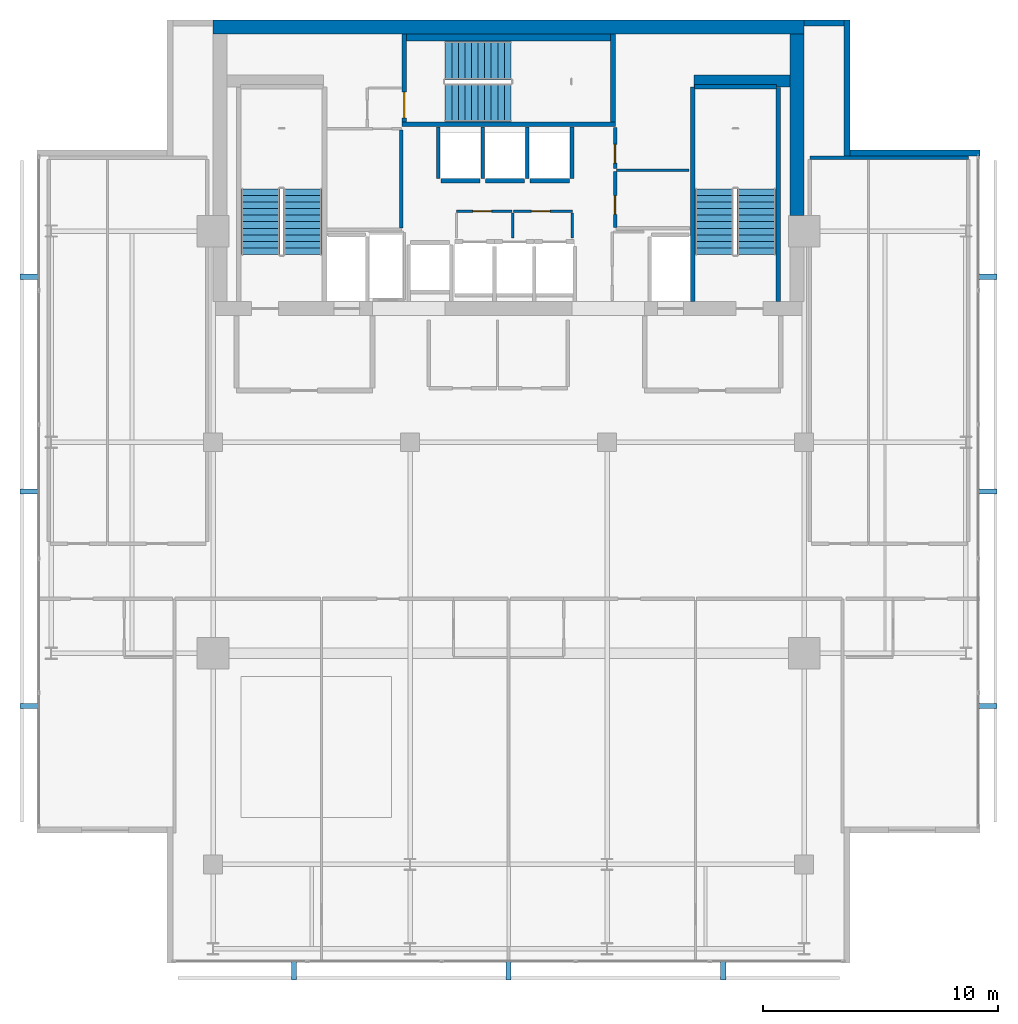
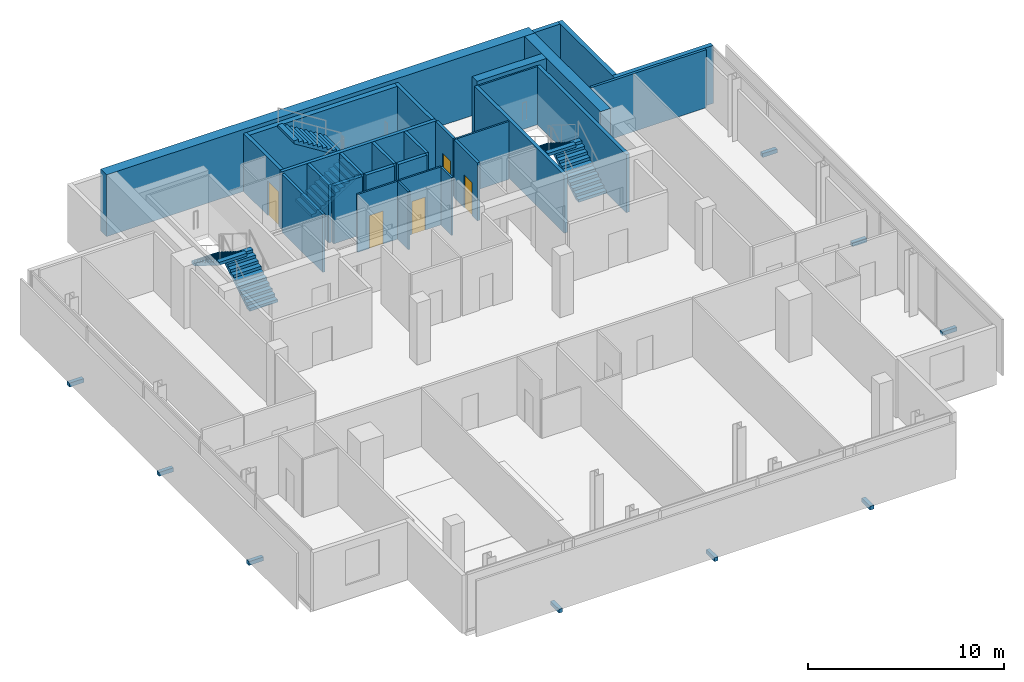
# One storey, part 19 of 23: 29 walls, 9 discrete accessories, 6 stair flights, 5 doors, 5 openings, 3 elements without a shape of their own.
"""IFC4 building model written with IfcOpenShell, lengths in metres."""

from ifc_helpers import new_model, si_unit, direction, frame, frame_2d, origin, origin_2d, place, context, subcontext, project, spatial, polyline, rectangle, outline, extrude, material, layer, layer_set, type_object, element, fill, aggregate, save


model = new_model("IFC4")

# Units and contexts
model_context = context("Model", 3, precision=1e-05, world=origin(), true_north=direction((0.0, 1.0)))
body_context = subcontext(model_context, "Body", "Model", "MODEL_VIEW")
ifc_project = project(units=[si_unit("LENGTHUNIT", "METRE"), si_unit("AREAUNIT", "SQUARE_METRE"), si_unit("VOLUMEUNIT", "CUBIC_METRE"), si_unit("PLANEANGLEUNIT", "RADIAN"), si_unit("MASSUNIT", "GRAM", prefix="KILO")], contexts=[model_context])

# Site, building, storey
site_placement = place(None, origin())
site = spatial("IfcSite", under=ifc_project, at=site_placement, CompositionType="ELEMENT")
building_placement = place(site_placement, origin())
building = spatial("IfcBuilding", under=site, at=building_placement, Name="Maruvema Waterfront Hotel and Observation Tower", CompositionType="ELEMENT")
storey_placement = place(building_placement, frame((0.0, 0.0, 337.39990234375)))
storey = spatial("IfcBuildingStorey", under=building, at=storey_placement, Name="L83", CompositionType="ELEMENT", Elevation=337.39990234375)

# Wall
ifc_material_1 = material(Name="Twin-stud acoustic gypsum drywall", Category="gypsum")
ifc_layer_1 = layer(ifc_material_1, 0.14990234375, Name="Acoustic Corridor and Suite Demising Wall 150 mm")
ifc_layer_set_1 = layer_set([ifc_layer_1], Name="Twin-stud acoustic gypsum drywall")
wall_type_1 = type_object("IfcWallType", Name="Acoustic Corridor and Suite Demising Wall 150 mm", PredefinedType="PARTITIONING", material=ifc_layer_set_1)
wall_1_placement = place(storey_placement, frame((33.219970703125, 45.139892578125, 0.0), z_axis=(0.0, 0.0, 1.0), x_axis=(0.0, 1.0, 0.0)))
element("IfcWall", 1, at=wall_1_placement, inside=storey, type_object=wall_type_1, Name="L83 Freed B1 East Wall 018", PredefinedType="PARTITIONING", context=body_context, shape_type="SweptSolid", body=[
    extrude(rectangle(XDim=4.16015625, YDim=0.14990234375, at=frame_2d((2.080078125, 0.0))), origin(), (0.0, 0.0, 1.0), 3.610107421875),
])

# Wall, opening, door
wall_2_placement = place(storey_placement, frame((42.340087890625, 45.159912109375, 0.0), z_axis=(0.0, 0.0, 1.0), x_axis=(0.0, 1.0, 0.0)))
wall_2 = element("IfcWall", 2, at=wall_2_placement, inside=storey, type_object=wall_type_1, Name="L83 Freed B2 West S 022", PredefinedType="PARTITIONING", context=body_context, shape_type="SweptSolid", body=[
    extrude(rectangle(XDim=2.380126953125, YDim=0.14990234375, at=frame_2d((1.18994140625, 0.0))), origin(), (0.0, 0.0, 1.0), 3.610107421875),
])
opening_1_placement = place(wall_2_placement, frame((0.550048828125, 0.0, 0.0)))
opening_1 = element("IfcOpeningElement", 3, at=opening_1_placement, cuts=wall_2, Name="Opening DR-080", PredefinedType="OPENING", context=body_context, shape_type="SweptSolid", body=[
    extrude(rectangle(XDim=0.800048828125, YDim=2.050048828125, at=frame_2d((0.39990234375, 1.02490234375))), frame((0.0, 0.0849609375, 0.0), z_axis=(0.0, -1.0, 0.0), x_axis=(1.0, 0.0, 0.0)), (0.0, 0.0, 1.0), 0.169921875),
])
ifc_material_2 = material(Name="Powder-coated steel access leaf", Category="steel")
door_type_1 = type_object("IfcDoorType", Name="Riser and Service Cupboard Door 800x2050 mm", OperationType="NOTDEFINED", PredefinedType="DOOR", material=ifc_material_2)
door_1_placement = place(opening_1_placement, frame((0.800048828125, 0.0, 0.0), z_axis=(0.0, 0.0, 1.0), x_axis=(-1.0, 0.0, 0.0)))
door_1 = element("IfcDoor", 4, at=door_1_placement, inside=storey, type_object=door_type_1, Name="L83 Butler Service Pantry Door", OperationType="SINGLE_SWING_LEFT", OverallHeight=2.050048828125, OverallWidth=0.800048828125, PredefinedType="DOOR", context=body_context, shape_type="SweptSolid", body=[
    extrude(rectangle(XDim=0.800048828125, YDim=2.050048828125, at=frame_2d((0.39990234375, 1.02490234375))), frame((0.0, 0.02490234375, 0.0), z_axis=(0.0, -1.0, 0.0), x_axis=(1.0, 0.0, 0.0)), (0.0, 0.0, 1.0), 0.050048828125),
])
fill(opening_1, door_1)

wall_3_placement = place(storey_placement, frame((42.340087890625, 47.659912109375, 0.0), z_axis=(0.0, 0.0, 1.0), x_axis=(0.0, 1.0, 0.0)))
wall_3 = element("IfcWall", 5, at=wall_3_placement, inside=storey, type_object=wall_type_1, Name="L83 Freed B2 West N 023", PredefinedType="PARTITIONING", context=body_context, shape_type="SweptSolid", body=[
    extrude(rectangle(XDim=1.760009765625, YDim=0.14990234375, at=frame_2d((0.8798828125, 0.0))), origin(), (0.0, 0.0, 1.0), 3.610107421875),
])
opening_2_placement = place(wall_3_placement, frame((0.239990234375, 0.0, 0.0)))
opening_2 = element("IfcOpeningElement", 6, at=opening_2_placement, cuts=wall_3, Name="Opening DR-080", PredefinedType="OPENING", context=body_context, shape_type="SweptSolid", body=[
    extrude(rectangle(XDim=0.800048828125, YDim=2.050048828125, at=frame_2d((0.39990234375, 1.02490234375))), frame((0.0, 0.0849609375, 0.0), z_axis=(0.0, -1.0, 0.0), x_axis=(1.0, 0.0, 0.0)), (0.0, 0.0, 1.0), 0.169921875),
])
door_2_placement = place(opening_2_placement, frame((0.800048828125, 0.0, 0.0), z_axis=(0.0, 0.0, 1.0), x_axis=(-1.0, 0.0, 0.0)))
door_2 = element("IfcDoor", 7, at=door_2_placement, inside=storey, type_object=door_type_1, Name="L83 Core IT and Linen Store Door", OperationType="SINGLE_SWING_RIGHT", OverallHeight=2.050048828125, OverallWidth=0.800048828125, PredefinedType="DOOR", context=body_context, shape_type="SweptSolid", body=[
    extrude(rectangle(XDim=0.800048828125, YDim=2.050048828125, at=frame_2d((0.39990234375, 1.02490234375))), frame((0.0, 0.02490234375, 0.0), z_axis=(0.0, -1.0, 0.0), x_axis=(1.0, 0.0, 0.0)), (0.0, 0.0, 1.0), 0.050048828125),
])
fill(opening_2, door_2)

# Walls
wall_4_placement = place(storey_placement, frame((50.64990234375, 48.125, 0.0), z_axis=(0.0, 0.0, 1.0), x_axis=(1.0, 0.0, 0.0)))
element("IfcWall", 8, at=wall_4_placement, inside=storey, type_object=wall_type_1, Name="L83 L83-Z4E Back Wall 037", PredefinedType="PARTITIONING", context=body_context, shape_type="SweptSolid", body=[
    extrude(rectangle(XDim=6.75, YDim=0.14990234375, at=frame_2d((3.375, 0.0))), origin(), (0.0, 0.0, 1.0), 3.610107421875),
])
ifc_material_3 = material(Name="Precast concrete C45/55", Category="concrete")
ifc_layer_2 = layer(ifc_material_3, 0.300048828125, Name="Core Shaft Furring Wall 300 mm")
ifc_layer_set_2 = layer_set([ifc_layer_2], Name="Precast concrete C45/55")
wall_type_2 = type_object("IfcWallType", Name="Core Shaft Furring Wall 300 mm", PredefinedType="SOLIDWALL", material=ifc_layer_set_2)
wall_5_placement = place(storey_placement, frame((33.449951171875, 53.25, 0.0), z_axis=(0.0, 0.0, 1.0), x_axis=(1.0, 0.0, 0.0)))
element("IfcWall", 9, at=wall_5_placement, inside=storey, type_object=wall_type_2, Name="L83 Stairwell ST-02 North Furring Wall", PredefinedType="SOLIDWALL", context=body_context, shape_type="SweptSolid", body=[
    extrude(rectangle(XDim=8.699951171875, YDim=0.300048828125, at=frame_2d((4.35009765625, 0.0))), origin(), (0.0, 0.0, 1.0), 3.610107421875),
])
ifc_material_4 = material(Name="Precast concrete C45/55", Category="concrete")
ifc_layer_3 = layer(ifc_material_4, 0.199951171875, Name="Core Shaft and Stairwell Enclosure Wall 200 mm")
ifc_layer_set_3 = layer_set([ifc_layer_3], Name="Precast concrete C45/55")
wall_type_3 = type_object("IfcWallType", Name="Core Shaft and Stairwell Enclosure Wall 200 mm", PredefinedType="SOLIDWALL", material=ifc_layer_set_3)
wall_6_placement = place(storey_placement, frame((33.25, 49.550048828125, 0.0), z_axis=(0.0, 0.0, 1.0), x_axis=(1.0, 0.0, 0.0)))
element("IfcWall", 10, at=wall_6_placement, inside=storey, type_object=wall_type_3, Name="L83 Stairwell ST-02 Shaft Wall", PredefinedType="SOLIDWALL", context=body_context, shape_type="SweptSolid", body=[
    extrude(rectangle(XDim=9.10009765625, YDim=0.199951171875, at=frame_2d((4.550048828125, 0.0))), origin(), (0.0, 0.0, 1.0), 3.610107421875),
])
wall_7_placement = place(storey_placement, frame((42.25, 49.64990234375, 0.0), z_axis=(0.0, 0.0, 1.0), x_axis=(0.0, 1.0, 0.0)))
element("IfcWall", 11, at=wall_7_placement, inside=storey, type_object=wall_type_3, Name="L83 Stairwell ST-02 Shaft Wall", PredefinedType="SOLIDWALL", context=body_context, shape_type="SweptSolid", body=[
    extrude(rectangle(XDim=3.75, YDim=0.199951171875, at=frame_2d((1.875, 0.0))), origin(), (0.0, 0.0, 1.0), 3.610107421875),
])

# Wall, opening, door
wall_8_placement = place(storey_placement, frame((33.35009765625, 49.64990234375, 0.0), z_axis=(0.0, 0.0, 1.0), x_axis=(0.0, 1.0, 0.0)))
wall_8 = element("IfcWall", 12, at=wall_8_placement, inside=storey, type_object=wall_type_3, Name="L83 Stairwell ST-02 Shaft Wall", PredefinedType="SOLIDWALL", context=body_context, shape_type="SweptSolid", body=[
    extrude(rectangle(XDim=3.75, YDim=0.199951171875, at=frame_2d((1.875, 0.0))), origin(), (0.0, 0.0, 1.0), 3.610107421875),
])
opening_3_placement = place(wall_8_placement, frame((0.179931640625, 0.0, 0.0)))
opening_3 = element("IfcOpeningElement", 13, at=opening_3_placement, cuts=wall_8, Name="Opening SD-02", PredefinedType="OPENING", context=body_context, shape_type="SweptSolid", body=[
    extrude(rectangle(XDim=1.10009765625, YDim=2.14990234375, at=frame_2d((0.550048828125, 1.074951171875))), frame((0.0, 0.10986328125, 0.0), z_axis=(0.0, -1.0, 0.0), x_axis=(1.0, 0.0, 0.0)), (0.0, 0.0, 1.0), 0.219970703125),
])
ifc_material_5 = material(Name="Fire-rated galvanised steel leaf", Category="steel")
door_type_2 = type_object("IfcDoorType", Name="Central Exit Stair Fire Door 1100x2150 mm", OperationType="NOTDEFINED", PredefinedType="DOOR", material=ifc_material_5)
door_3_placement = place(opening_3_placement, frame((1.10009765625, 0.0, 0.0), z_axis=(0.0, 0.0, 1.0), x_axis=(-1.0, 0.0, 0.0)))
door_3 = element("IfcDoor", 14, at=door_3_placement, inside=storey, type_object=door_type_2, Name="L83 Exit Stair ST-02 Fire Door", OperationType="SINGLE_SWING_LEFT", OverallHeight=2.14990234375, OverallWidth=1.10009765625, PredefinedType="DOOR", context=body_context, shape_type="SweptSolid", body=[
    extrude(rectangle(XDim=1.10009765625, YDim=2.14990234375, at=frame_2d((0.550048828125, 1.074951171875))), frame((0.0, 0.02490234375, 0.0), z_axis=(0.0, -1.0, 0.0), x_axis=(1.0, 0.0, 0.0)), (0.0, 0.0, 1.0), 0.050048828125),
])
fill(opening_3, door_3)

# Walls
wall_9_placement = place(storey_placement, frame((45.64990234375, 42.0, 0.0), z_axis=(0.0, 0.0, 1.0), x_axis=(0.0, 1.0, 0.0)))
element("IfcWall", 15, at=wall_9_placement, inside=storey, type_object=wall_type_3, Name="L83 Stairwell ST-03 West Shaft Wall", PredefinedType="SOLIDWALL", context=body_context, shape_type="SweptSolid", body=[
    extrude(rectangle(XDim=9.14990234375, YDim=0.199951171875, at=frame_2d((4.574951171875, 0.0))), origin(), (0.0, 0.0, 1.0), 3.610107421875),
])
wall_10_placement = place(storey_placement, frame((49.300048828125, 42.0, 0.0), z_axis=(0.0, 0.0, 1.0), x_axis=(0.0, 1.0, 0.0)))
element("IfcWall", 16, at=wall_10_placement, inside=storey, type_object=wall_type_3, Name="L83 Stairwell ST-03 Shaft Lining Wall", PredefinedType="SOLIDWALL", context=body_context, shape_type="SweptSolid", body=[
    extrude(rectangle(XDim=9.1201171875, YDim=0.199951171875, at=frame_2d((4.56005859375, 0.0))), origin(), (0.0, 0.0, 1.0), 3.610107421875),
])
wall_11_placement = place(storey_placement, frame((45.719970703125, 51.14990234375, 0.0), z_axis=(0.0, 0.0, 1.0), x_axis=(1.0, 0.0, 0.0)))
element("IfcWall", 17, at=wall_11_placement, inside=storey, type_object=wall_type_3, Name="L83 Stairwell ST-03 Shaft Lining Wall", PredefinedType="SOLIDWALL", context=body_context, shape_type="SweptSolid", body=[
    extrude(rectangle(XDim=3.5, YDim=0.199951171875, at=frame_2d((1.75, 0.0))), origin(), (0.0, 0.0, 1.0), 3.610107421875),
])
wall_12_placement = place(storey_placement, frame((34.909912109375, 47.14990234375, 0.0), z_axis=(0.0, 0.0, 1.0), x_axis=(1.0, 0.0, 0.0)))
element("IfcWall", 18, at=wall_12_placement, inside=storey, type_object=wall_type_3, Name="L83 Lift LF-12 Hoistway Front Wall", PredefinedType="SOLIDWALL", context=body_context, shape_type="SweptSolid", body=[
    extrude(rectangle(XDim=1.68017578125, YDim=0.199951171875, at=frame_2d((0.840087890625, 0.0))), origin(), (0.0, 0.0, 1.0), 3.610107421875),
])
for number, where, z_axis, x_axis, name in (
    (19, (36.81005859375, 47.14990234375, 0.0), (0.0, 0.0, 1.0), (1.0, 0.0, 0.0), "L83 Lift LF-13 Hoistway Front Wall"),
    (20, (38.7099609375, 47.14990234375, 0.0), (0.0, 0.0, 1.0), (1.0, 0.0, 0.0), "L83 Lift LF-14 Hoistway Front Wall"),
):
    element("IfcWall", number, at=place(storey_placement, frame(where, z_axis=z_axis, x_axis=x_axis)), inside=storey, type_object=wall_type_3, Name=name, PredefinedType="SOLIDWALL", context=body_context, shape_type="SweptSolid", body=[
        extrude(rectangle(XDim=1.679931640625, YDim=0.199951171875, at=frame_2d((0.83984375, 0.0))), origin(), (0.0, 0.0, 1.0), 3.610107421875),
    ])
ifc_material_6 = material(Name="Concrete C70/85", Category="concrete")
ifc_layer_4 = layer(ifc_material_6, 0.5, Name="Core Shear Wall 500 mm")
ifc_layer_set_4 = layer_set([ifc_layer_4], Name="Concrete C70/85")
wall_type_4 = type_object("IfcWallType", Name="Core Shear Wall 500 mm", PredefinedType="SHEAR", material=ifc_layer_set_4)
wall_13_placement = place(storey_placement, frame((45.699951171875, 51.39990234375, 0.0), z_axis=(0.0, 0.0, 1.0), x_axis=(1.0, 0.0, 0.0)))
element("IfcWall", 21, at=wall_13_placement, inside=storey, type_object=wall_type_4, Name="L83 Internal Core Shear Wall NE 500 mm", PredefinedType="SHEAR", context=body_context, shape_type="SweptSolid", body=[
    extrude(rectangle(XDim=4.10009765625, YDim=0.5, at=frame_2d((2.050048828125, 0.0))), origin(), (0.0, 0.0, 1.0), 3.85009765625),
])
ifc_material_7 = material(Name="Concrete C60/75", Category="concrete")
ifc_layer_5 = layer(ifc_material_7, 0.60009765625, Name="Core Shear Wall 600 mm")
ifc_layer_set_5 = layer_set([ifc_layer_5], Name="Concrete C60/75")
wall_type_5 = type_object("IfcWallType", Name="Core Shear Wall 600 mm", PredefinedType="SHEAR", material=ifc_layer_set_5)
wall_14_placement = place(storey_placement, frame((25.199951171875, 53.699951171875, 0.0), z_axis=(0.0, 0.0, 1.0), x_axis=(1.0, 0.0, 0.0)))
element("IfcWall", 22, at=wall_14_placement, inside=storey, type_object=wall_type_5, Name="L83 North Core Shear Wall", PredefinedType="SHEAR", context=body_context, shape_type="SweptSolid", body=[
    extrude(rectangle(XDim=25.199951171875, YDim=0.60009765625, at=frame_2d((12.60009765625, 0.0))), origin(), (0.0, 0.0, 1.0), 3.85009765625),
])
wall_15_placement = place(storey_placement, frame((50.10009765625, 45.675048828125, 0.0), z_axis=(0.0, 0.0, 1.0), x_axis=(0.0, 1.0, 0.0)))
element("IfcWall", 23, at=wall_15_placement, inside=storey, type_object=wall_type_5, Name="L83 East-North Core Shear Wall", PredefinedType="SHEAR", context=body_context, shape_type="SweptSolid", body=[
    extrude(rectangle(XDim=7.724853515625, YDim=0.60009765625, at=frame_2d((3.8623046875, 0.0))), origin(), (0.0, 0.0, 1.0), 3.85009765625),
])

# Wall, opening, door
ifc_material_8 = material(Name="Moisture-resistant cement-board drywall", Category="gypsum")
ifc_layer_6 = layer(ifc_material_8, 0.10009765625, Name="En-Suite Moisture-Resistant Partition 100 mm")
ifc_layer_set_6 = layer_set([ifc_layer_6], Name="Moisture-resistant cement-board drywall")
wall_type_6 = type_object("IfcWallType", Name="En-Suite Moisture-Resistant Partition 100 mm", PredefinedType="PARTITIONING", material=ifc_layer_set_6)
wall_16_placement = place(storey_placement, frame((35.580078125, 45.840087890625, 0.0), z_axis=(0.0, 0.0, 1.0), x_axis=(1.0, 0.0, 0.0)))
wall_16 = element("IfcWall", 24, at=wall_16_placement, inside=storey, type_object=wall_type_6, Name="L83 Core Closet K2A North 010", PredefinedType="PARTITIONING", context=body_context, shape_type="SweptSolid", body=[
    extrude(rectangle(XDim=2.35986328125, YDim=0.10009765625, at=frame_2d((1.179931640625, 0.0))), origin(), (0.0, 0.0, 1.0), 3.610107421875),
])
opening_4_placement = place(wall_16_placement, frame((0.699951171875, 0.0, 0.0)))
opening_4 = element("IfcOpeningElement", 25, at=opening_4_placement, cuts=wall_16, Name="Opening DR-080", PredefinedType="OPENING", context=body_context, shape_type="SweptSolid", body=[
    extrude(rectangle(XDim=0.800048828125, YDim=2.050048828125, at=frame_2d((0.39990234375, 1.02490234375))), frame((0.0, 0.06005859375, 0.0), z_axis=(0.0, -1.0, 0.0), x_axis=(1.0, 0.0, 0.0)), (0.0, 0.0, 1.0), 0.1201171875),
])
door_4_placement = place(opening_4_placement, origin())
door_4 = element("IfcDoor", 26, at=door_4_placement, inside=storey, type_object=door_type_1, Name="L83 Core IT Closet Door", OperationType="SINGLE_SWING_RIGHT", OverallHeight=2.050048828125, OverallWidth=0.800048828125, PredefinedType="DOOR", context=body_context, shape_type="SweptSolid", body=[
    extrude(rectangle(XDim=0.800048828125, YDim=2.050048828125, at=frame_2d((0.39990234375, 1.02490234375))), frame((0.0, 0.02490234375, 0.0), z_axis=(0.0, -1.0, 0.0), x_axis=(1.0, 0.0, 0.0)), (0.0, 0.0, 1.0), 0.050048828125),
])
fill(opening_4, door_4)

wall_17_placement = place(storey_placement, frame((38.02001953125, 45.840087890625, 0.0), z_axis=(0.0, 0.0, 1.0), x_axis=(1.0, 0.0, 0.0)))
wall_17 = element("IfcWall", 27, at=wall_17_placement, inside=storey, type_object=wall_type_6, Name="L83 Core Closet K2B North 011", PredefinedType="PARTITIONING", context=body_context, shape_type="SweptSolid", body=[
    extrude(rectangle(XDim=2.5, YDim=0.10009765625, at=frame_2d((1.25, 0.0))), origin(), (0.0, 0.0, 1.0), 3.610107421875),
])
opening_5_placement = place(wall_17_placement, frame((0.75, 0.0, 0.0)))
opening_5 = element("IfcOpeningElement", 28, at=opening_5_placement, cuts=wall_17, Name="Opening DR-080", PredefinedType="OPENING", context=body_context, shape_type="SweptSolid", body=[
    extrude(rectangle(XDim=0.800048828125, YDim=2.050048828125, at=frame_2d((0.39990234375, 1.02490234375))), frame((0.0, 0.06005859375, 0.0), z_axis=(0.0, -1.0, 0.0), x_axis=(1.0, 0.0, 0.0)), (0.0, 0.0, 1.0), 0.1201171875),
])
door_5_placement = place(opening_5_placement, origin())
door_5 = element("IfcDoor", 29, at=door_5_placement, inside=storey, type_object=door_type_1, Name="L83 Core Linen Cupboard Door", OperationType="SINGLE_SWING_LEFT", OverallHeight=2.050048828125, OverallWidth=0.800048828125, PredefinedType="DOOR", context=body_context, shape_type="SweptSolid", body=[
    extrude(rectangle(XDim=0.800048828125, YDim=2.050048828125, at=frame_2d((0.39990234375, 1.02490234375))), frame((0.0, 0.02490234375, 0.0), z_axis=(0.0, -1.0, 0.0), x_axis=(1.0, 0.0, 0.0)), (0.0, 0.0, 1.0), 0.050048828125),
])
fill(opening_5, door_5)

# Walls
for number, where, z_axis, x_axis, name in (
    (30, (37.97998046875, 44.699951171875, 0.0), (0.0, 0.0, 1.0), (0.0, 1.0, 0.0), "L83 Core Closet K2 Mid 013"),
    (31, (40.52001953125, 44.699951171875, 0.0), (0.0, 0.0, 1.0), (0.0, 1.0, 0.0), "L83 Core Closet K2 East 014"),
):
    element("IfcWall", number, at=place(storey_placement, frame(where, z_axis=z_axis, x_axis=x_axis)), inside=storey, type_object=wall_type_6, Name=name, PredefinedType="PARTITIONING", context=body_context, shape_type="SweptSolid", body=[
        extrude(rectangle(XDim=1.080078125, YDim=0.10009765625, at=frame_2d((0.5400390625, 0.0))), origin(), (0.0, 0.0, 1.0), 3.610107421875),
    ])
wall_18_placement = place(storey_placement, frame((42.39990234375, 47.60009765625, 0.0), z_axis=(0.0, 0.0, 1.0), x_axis=(1.0, 0.0, 0.0)))
element("IfcWall", 32, at=wall_18_placement, inside=storey, type_object=wall_type_6, Name="L83 Freed B2 Split 024", PredefinedType="PARTITIONING", context=body_context, shape_type="SweptSolid", body=[
    extrude(rectangle(XDim=3.10009765625, YDim=0.10009765625, at=frame_2d((1.550048828125, 0.0))), origin(), (0.0, 0.0, 1.0), 3.610107421875),
])
ifc_material_9 = material(Name="Precast concrete C45/55 with honed Pernambuco granite facing", Category="masonry")
ifc_layer_7 = layer(ifc_material_9, 0.260009765625, Name="Exterior Granite Clad Spandrel and Pier Wall 260 mm")
ifc_layer_set_7 = layer_set([ifc_layer_7], Name="Precast concrete C45/55 with honed Pernambuco granite facing")
wall_type_7 = type_object("IfcWallType", Name="Exterior Granite Clad Spandrel and Pier Wall 260 mm", PredefinedType="SOLIDWALL", material=ifc_layer_set_7)
wall_19_placement = place(storey_placement, frame((52.22998046875, 54.0, 0.0), z_axis=(0.0, 0.0, 1.0), x_axis=(0.0, -1.0, 0.0)))
element("IfcWall", 33, at=wall_19_placement, inside=storey, type_object=wall_type_7, Name="L83 Corner Notch Granite Pier Wall NE1", PredefinedType="SOLIDWALL", context=body_context, shape_type="SweptSolid", body=[
    extrude(rectangle(XDim=5.800048828125, YDim=0.260009765625, at=frame_2d((2.89990234375, 0.0))), origin(), (0.0, 0.0, 1.0), 3.610107421875),
])
wall_20_placement = place(storey_placement, frame((52.10009765625, 48.330078125, 0.0), z_axis=(0.0, 0.0, 1.0), x_axis=(1.0, 0.0, 0.0)))
element("IfcWall", 34, at=wall_20_placement, inside=storey, type_object=wall_type_7, Name="L83 Corner Notch Granite Pier Wall NE2", PredefinedType="SOLIDWALL", context=body_context, shape_type="SweptSolid", body=[
    extrude(rectangle(XDim=5.7998046875, YDim=0.260009765625, at=frame_2d((2.89990234375, 0.0))), origin(), (0.0, 0.0, 1.0), 3.610107421875),
])
wall_21_placement = place(storey_placement, frame((52.10009765625, 53.8701171875, 0.0), z_axis=(0.0, 0.0, 1.0), x_axis=(-1.0, 0.0, 0.0)))
element("IfcWall", 35, at=wall_21_placement, inside=storey, type_object=wall_type_7, Name="L83 North-East Core Flanking Pier Wall", PredefinedType="SOLIDWALL", context=body_context, shape_type="SweptSolid", body=[
    extrude(rectangle(XDim=1.7001953125, YDim=0.260009765625, at=frame_2d((0.85009765625, 0.0))), origin(), (0.0, 0.0, 1.0), 3.610107421875),
])
ifc_material_10 = material(Name="Precast concrete C45/55", Category="concrete")
ifc_layer_8 = layer(ifc_material_10, 0.159912109375, Name="Lift Hoistway Divider Wall 160 mm")
ifc_layer_set_8 = layer_set([ifc_layer_8], Name="Precast concrete C45/55")
wall_type_8 = type_object("IfcWallType", Name="Lift Hoistway Divider Wall 160 mm", PredefinedType="SOLIDWALL", material=ifc_layer_set_8)
for number, where, z_axis, x_axis, name in (
    (36, (34.800048828125, 47.25, 0.0), (0.0, 0.0, 1.0), (0.0, 1.0, 0.0), "L83 Hoistway Divider Wall"),
    (37, (36.699951171875, 47.25, 0.0), (0.0, 0.0, 1.0), (0.0, 1.0, 0.0), "L83 Hoistway Divider Wall"),
    (38, (38.60009765625, 47.25, 0.0), (0.0, 0.0, 1.0), (0.0, 1.0, 0.0), "L83 Hoistway Divider Wall"),
    (39, (40.5, 47.25, 0.0), (0.0, 0.0, 1.0), (0.0, 1.0, 0.0), "L83 Hoistway Divider Wall"),
):
    element("IfcWall", number, at=place(storey_placement, frame(where, z_axis=z_axis, x_axis=x_axis)), inside=storey, type_object=wall_type_8, Name=name, PredefinedType="SOLIDWALL", context=body_context, shape_type="SweptSolid", body=[
        extrude(rectangle(XDim=2.18994140625, YDim=0.159912109375, at=frame_2d((1.094970703125, 0.0))), origin(), (0.0, 0.0, 1.0), 3.610107421875),
    ])

# Stair, stair flights
ifc_material_11 = material(Name="Concrete C50/60", Category="concrete")
stair_type = type_object("IfcStairType", Name="Dogleg Exit Stair 1650 mm (22R x 175.0 mm)", PredefinedType="HALF_TURN_STAIR", material=ifc_material_11)
stair_1_placement = place(storey_placement, origin())
stair_1 = element("IfcStair", 40, at=stair_1_placement, inside=storey, type_object=stair_type, Name="L83 ST-01", PredefinedType="HALF_TURN_STAIR")
ifc_material_12 = material(Name="Concrete C50/60", Category="concrete")
stair_flight_type = type_object("IfcStairFlightType", Name="Reinforced Concrete Stair Flight 1650 mm (11R x 175.0 mm)", PredefinedType="STRAIGHT", material=ifc_material_12)
stair_flight_1_placement = place(storey_placement, frame((29.02490234375, 44.0, 0.0), z_axis=(0.0, 0.0, 1.0), x_axis=(0.0, 1.0, 0.0)))
stair_flight_1 = element("IfcStairFlight", 41, at=stair_flight_1_placement, type_object=stair_flight_type, Name="ST-01 flight 1", NumberOfRisers=11, NumberOfTreads=10, PredefinedType="STRAIGHT", RiserHeight=0.175, TreadLength=0.28, context=body_context, shape_type="SweptSolid", body=[
    extrude(outline(polyline([(0.0, 0.0), (0.0, 0.175048828125), (0.280029296875, 0.175048828125), (0.280029296875, 0.35009765625), (0.56005859375, 0.35009765625), (0.56005859375, 0.52490234375), (0.840087890625, 0.52490234375), (0.840087890625, 0.699951171875), (1.1201171875, 0.699951171875), (1.1201171875, 0.875), (1.39990234375, 0.875), (1.39990234375, 1.050048828125), (1.679931640625, 1.050048828125), (1.679931640625, 1.22509765625), (1.9599609375, 1.22509765625), (1.9599609375, 1.39990234375), (2.239990234375, 1.39990234375), (2.239990234375, 1.574951171875), (2.52001953125, 1.574951171875), (2.52001953125, 1.75), (2.800048828125, 1.75), (2.800048828125, 1.925048828125), (2.800048828125, 1.5732421875), (0.28271484375, 0.0), (0.0, 0.0)])), frame((0.0, 0.824951171875, 0.0), z_axis=(0.0, -1.0, 0.0), x_axis=(1.0, 0.0, 0.0)), (0.0, 0.0, 1.0), 1.64990234375),
])
stair_flight_2_placement = place(storey_placement, frame((27.22509765625, 46.800048828125, 1.925048828125), z_axis=(0.0, 0.0, 1.0), x_axis=(0.0, -1.0, 0.0)))
stair_flight_2 = element("IfcStairFlight", 42, at=stair_flight_2_placement, type_object=stair_flight_type, Name="ST-01 flight 2", NumberOfRisers=11, NumberOfTreads=10, PredefinedType="STRAIGHT", RiserHeight=0.175, TreadLength=0.28, context=body_context, shape_type="SweptSolid", body=[
    extrude(outline(polyline([(0.0, 0.0), (0.0, 0.175048828125), (0.280029296875, 0.175048828125), (0.280029296875, 0.35009765625), (0.56005859375, 0.35009765625), (0.56005859375, 0.52490234375), (0.840087890625, 0.52490234375), (0.840087890625, 0.699951171875), (1.1201171875, 0.699951171875), (1.1201171875, 0.875), (1.39990234375, 0.875), (1.39990234375, 1.050048828125), (1.679931640625, 1.050048828125), (1.679931640625, 1.22509765625), (1.9599609375, 1.22509765625), (1.9599609375, 1.39990234375), (2.239990234375, 1.39990234375), (2.239990234375, 1.574951171875), (2.52001953125, 1.574951171875), (2.52001953125, 1.75), (2.800048828125, 1.75), (2.800048828125, 1.925048828125), (2.800048828125, 1.5732421875), (0.28271484375, 0.0), (0.0, 0.0)])), frame((0.0, 0.824951171875, 0.0), z_axis=(0.0, -1.0, 0.0), x_axis=(1.0, 0.0, 0.0)), (0.0, 0.0, 1.0), 1.64990234375),
])
aggregate(stair_1, [stair_flight_1, stair_flight_2])

stair_2_placement = place(storey_placement, origin())
stair_2 = element("IfcStair", 43, at=stair_2_placement, inside=storey, type_object=stair_type, Name="L83 ST-02", PredefinedType="HALF_TURN_STAIR")
stair_flight_3_placement = place(storey_placement, frame((35.10009765625, 50.47509765625, 0.0), z_axis=(0.0, 0.0, 1.0), x_axis=(1.0, 0.0, 0.0)))
stair_flight_3 = element("IfcStairFlight", 44, at=stair_flight_3_placement, type_object=stair_flight_type, Name="ST-02 flight 1", NumberOfRisers=11, NumberOfTreads=10, PredefinedType="STRAIGHT", RiserHeight=0.175, TreadLength=0.28, context=body_context, shape_type="SweptSolid", body=[
    extrude(outline(polyline([(0.0, 0.0), (0.0, 0.175048828125), (0.280029296875, 0.175048828125), (0.280029296875, 0.35009765625), (0.56005859375, 0.35009765625), (0.56005859375, 0.52490234375), (0.840087890625, 0.52490234375), (0.840087890625, 0.699951171875), (1.1201171875, 0.699951171875), (1.1201171875, 0.875), (1.39990234375, 0.875), (1.39990234375, 1.050048828125), (1.679931640625, 1.050048828125), (1.679931640625, 1.22509765625), (1.9599609375, 1.22509765625), (1.9599609375, 1.39990234375), (2.239990234375, 1.39990234375), (2.239990234375, 1.574951171875), (2.52001953125, 1.574951171875), (2.52001953125, 1.75), (2.800048828125, 1.75), (2.800048828125, 1.925048828125), (2.800048828125, 1.5732421875), (0.28271484375, 0.0), (0.0, 0.0)])), frame((0.0, 0.824951171875, 0.0), z_axis=(0.0, -1.0, 0.0), x_axis=(1.0, 0.0, 0.0)), (0.0, 0.0, 1.0), 1.64990234375),
])
stair_flight_4_placement = place(storey_placement, frame((37.89990234375, 52.27490234375, 1.925048828125), z_axis=(0.0, 0.0, 1.0), x_axis=(-1.0, 0.0, 0.0)))
stair_flight_4 = element("IfcStairFlight", 45, at=stair_flight_4_placement, type_object=stair_flight_type, Name="ST-02 flight 2", NumberOfRisers=11, NumberOfTreads=10, PredefinedType="STRAIGHT", RiserHeight=0.175, TreadLength=0.28, context=body_context, shape_type="SweptSolid", body=[
    extrude(outline(polyline([(0.0, 0.0), (0.0, 0.175048828125), (0.280029296875, 0.175048828125), (0.280029296875, 0.35009765625), (0.56005859375, 0.35009765625), (0.56005859375, 0.52490234375), (0.840087890625, 0.52490234375), (0.840087890625, 0.699951171875), (1.1201171875, 0.699951171875), (1.1201171875, 0.875), (1.39990234375, 0.875), (1.39990234375, 1.050048828125), (1.679931640625, 1.050048828125), (1.679931640625, 1.22509765625), (1.9599609375, 1.22509765625), (1.9599609375, 1.39990234375), (2.239990234375, 1.39990234375), (2.239990234375, 1.574951171875), (2.52001953125, 1.574951171875), (2.52001953125, 1.75), (2.800048828125, 1.75), (2.800048828125, 1.925048828125), (2.800048828125, 1.5732421875), (0.28271484375, 0.0), (0.0, 0.0)])), frame((0.0, 0.824951171875, 0.0), z_axis=(0.0, -1.0, 0.0), x_axis=(1.0, 0.0, 0.0)), (0.0, 0.0, 1.0), 1.64990234375),
])
aggregate(stair_2, [stair_flight_3, stair_flight_4])

stair_3_placement = place(storey_placement, origin())
stair_3 = element("IfcStair", 46, at=stair_3_placement, inside=storey, type_object=stair_type, Name="L83 ST-03", PredefinedType="HALF_TURN_STAIR")
stair_flight_5_placement = place(storey_placement, frame((48.375, 44.0, 0.0), z_axis=(0.0, 0.0, 1.0), x_axis=(0.0, 1.0, 0.0)))
stair_flight_5 = element("IfcStairFlight", 47, at=stair_flight_5_placement, type_object=stair_flight_type, Name="ST-03 flight 1", NumberOfRisers=11, NumberOfTreads=10, PredefinedType="STRAIGHT", RiserHeight=0.175, TreadLength=0.28, context=body_context, shape_type="SweptSolid", body=[
    extrude(outline(polyline([(0.0, 0.0), (0.0, 0.175048828125), (0.280029296875, 0.175048828125), (0.280029296875, 0.35009765625), (0.56005859375, 0.35009765625), (0.56005859375, 0.52490234375), (0.840087890625, 0.52490234375), (0.840087890625, 0.699951171875), (1.1201171875, 0.699951171875), (1.1201171875, 0.875), (1.39990234375, 0.875), (1.39990234375, 1.050048828125), (1.679931640625, 1.050048828125), (1.679931640625, 1.22509765625), (1.9599609375, 1.22509765625), (1.9599609375, 1.39990234375), (2.239990234375, 1.39990234375), (2.239990234375, 1.574951171875), (2.52001953125, 1.574951171875), (2.52001953125, 1.75), (2.800048828125, 1.75), (2.800048828125, 1.925048828125), (2.800048828125, 1.5732421875), (0.28271484375, 0.0), (0.0, 0.0)])), frame((0.0, 0.824951171875, 0.0), z_axis=(0.0, -1.0, 0.0), x_axis=(1.0, 0.0, 0.0)), (0.0, 0.0, 1.0), 1.64990234375),
])
stair_flight_6_placement = place(storey_placement, frame((46.574951171875, 46.800048828125, 1.925048828125), z_axis=(0.0, 0.0, 1.0), x_axis=(0.0, -1.0, 0.0)))
stair_flight_6 = element("IfcStairFlight", 48, at=stair_flight_6_placement, type_object=stair_flight_type, Name="ST-03 flight 2", NumberOfRisers=11, NumberOfTreads=10, PredefinedType="STRAIGHT", RiserHeight=0.175, TreadLength=0.28, context=body_context, shape_type="SweptSolid", body=[
    extrude(outline(polyline([(0.0, 0.0), (0.0, 0.175048828125), (0.280029296875, 0.175048828125), (0.280029296875, 0.35009765625), (0.56005859375, 0.35009765625), (0.56005859375, 0.52490234375), (0.840087890625, 0.52490234375), (0.840087890625, 0.699951171875), (1.1201171875, 0.699951171875), (1.1201171875, 0.875), (1.39990234375, 0.875), (1.39990234375, 1.050048828125), (1.679931640625, 1.050048828125), (1.679931640625, 1.22509765625), (1.9599609375, 1.22509765625), (1.9599609375, 1.39990234375), (2.239990234375, 1.39990234375), (2.239990234375, 1.574951171875), (2.52001953125, 1.574951171875), (2.52001953125, 1.75), (2.800048828125, 1.75), (2.800048828125, 1.925048828125), (2.800048828125, 1.5732421875), (0.28271484375, 0.0), (0.0, 0.0)])), frame((0.0, 0.824951171875, 0.0), z_axis=(0.0, -1.0, 0.0), x_axis=(1.0, 0.0, 0.0)), (0.0, 0.0, 1.0), 1.64990234375),
])
aggregate(stair_3, [stair_flight_5, stair_flight_6])

# Discrete accessories
ifc_material_13 = material(Name="Duplex stainless steel Grade 2205", Category="steel")
discrete_accessory_type = type_object("IfcDiscreteAccessoryType", Name="Double-Skin Cavity Stainless Outrigger Bracket", PredefinedType="BRACKET", material=ifc_material_13)
for number, where, z_axis, x_axis, name in (
    (49, (28.64794921875, 13.5, -0.14013671875), (0.0, 0.0, 1.0), (1.0, 0.0, 0.0), "L83 Outer Skin Support Bracket 1"),
    (50, (37.800048828125, 13.5, -0.14013671875), (0.0, 0.0, 1.0), (1.0, 0.0, 0.0), "L83 Outer Skin Support Bracket 2"),
    (51, (46.951904296875, 13.5, -0.14013671875), (0.0, 0.0, 1.0), (1.0, 0.0, 0.0), "L83 Outer Skin Support Bracket 3"),
    (52, (58.199951171875, 24.748046875, -0.14013671875), (0.0, 0.0, 1.0), (0.0, 1.0, 0.0), "L83 Outer Skin Support Bracket 1"),
    (53, (58.199951171875, 33.89990234375, -0.14013671875), (0.0, 0.0, 1.0), (0.0, 1.0, 0.0), "L83 Outer Skin Support Bracket 2"),
    (54, (58.199951171875, 43.052001953125, -0.14013671875), (0.0, 0.0, 1.0), (0.0, 1.0, 0.0), "L83 Outer Skin Support Bracket 3"),
    (55, (17.39990234375, 43.052001953125, -0.14013671875), (0.0, 0.0, 1.0), (0.0, -1.0, 0.0), "L83 Outer Skin Support Bracket 1"),
    (56, (17.39990234375, 33.89990234375, -0.14013671875), (0.0, 0.0, 1.0), (0.0, -1.0, 0.0), "L83 Outer Skin Support Bracket 2"),
    (57, (17.39990234375, 24.748046875, -0.14013671875), (0.0, 0.0, 1.0), (0.0, -1.0, 0.0), "L83 Outer Skin Support Bracket 3"),
):
    element("IfcDiscreteAccessory", number, at=place(storey_placement, frame(where, z_axis=z_axis, x_axis=x_axis)), inside=storey, type_object=discrete_accessory_type, Name=name, PredefinedType="BRACKET", context=body_context, shape_type="SweptSolid", body=[
        extrude(rectangle(XDim=0.219970703125, YDim=0.860107421875, at=origin_2d()), origin(), (0.0, 0.0, 1.0), 0.239990234375),
    ])

save(model, "model.ifc")
